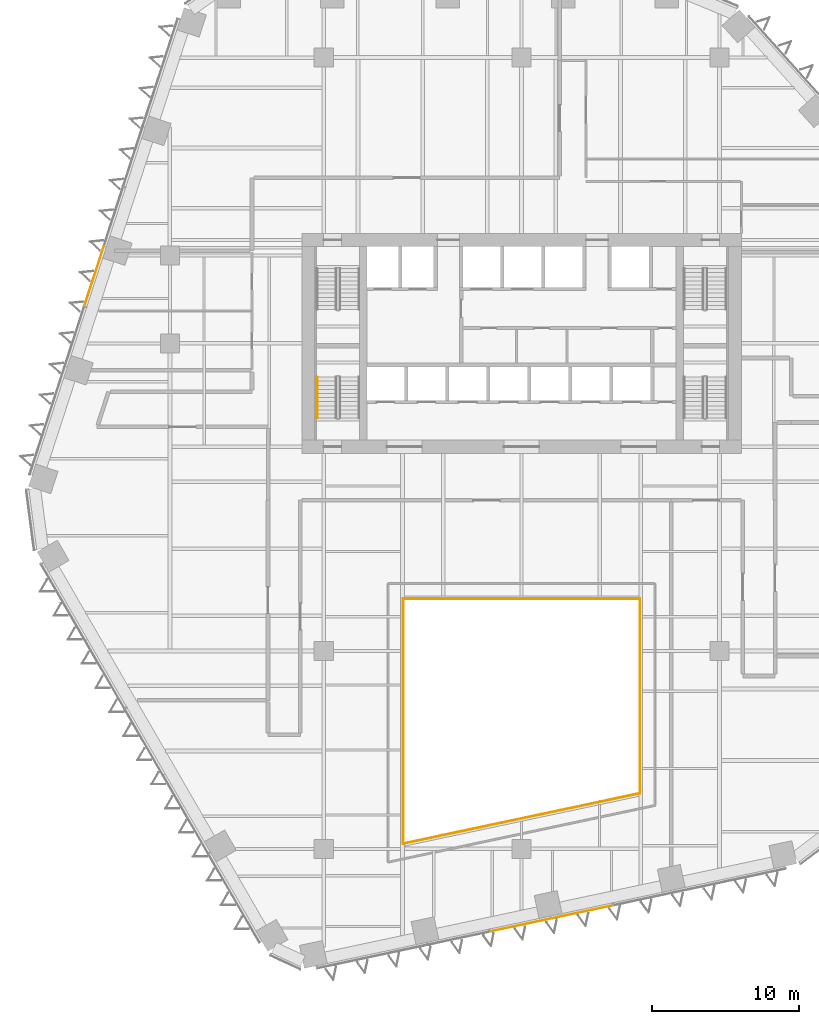
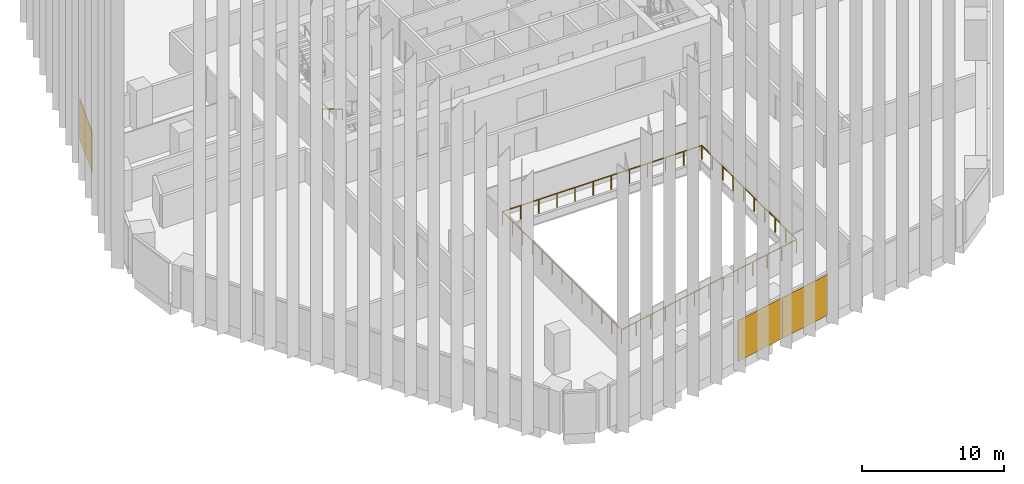
# One storey, part 18 of 24: 5 railings, 3 coverings, 2 elements without a shape of their own.
"""IFC4 building model written with IfcOpenShell, lengths in metres."""

from ifc_helpers import new_model, si_unit, direction, frame, origin, origin_2d, place, context, subcontext, project, spatial, rectangle, circle, extrude, material, layer, layer_set, type_object, element, aggregate, save


model = new_model("IFC4")

# Units and contexts
model_context = context("Model", 3, precision=1e-05, world=origin(), true_north=direction((0.0, 1.0)))
body_context = subcontext(model_context, "Body", "Model", "MODEL_VIEW")
ifc_project = project(units=[si_unit("LENGTHUNIT", "METRE"), si_unit("AREAUNIT", "SQUARE_METRE"), si_unit("VOLUMEUNIT", "CUBIC_METRE"), si_unit("PLANEANGLEUNIT", "RADIAN"), si_unit("MASSUNIT", "GRAM", prefix="KILO")], contexts=[model_context])

# Site, building, storey
site_placement = place(None, origin())
site = spatial("IfcSite", under=ifc_project, at=site_placement, CompositionType="ELEMENT")
building_placement = place(site_placement, origin())
building = spatial("IfcBuilding", under=site, at=building_placement, Name="Isthmus Gate Tower", CompositionType="ELEMENT")
storey_placement = place(building_placement, frame((0.0, 0.0, 80.64990234375)))
storey = spatial("IfcBuildingStorey", under=building, at=storey_placement, Name="L18", CompositionType="ELEMENT", Elevation=80.64990234375)

# Railings
ifc_material_1 = material(Name="Laminated toughened glass balustrade with steel rail", Category="steel")
railing_type_1 = type_object("IfcRailingType", Name="ATRIUM GUARD GLASS BALUSTRADE 1200", PredefinedType="GUARDRAIL", material=ifc_material_1)
railing_1_placement = place(storey_placement, frame((-8.080078125, -26.642822265625, 0.0)))
element("IfcRailing", 1, at=railing_1_placement, inside=storey, type_object=railing_type_1, Name="L18 atrium guard", PredefinedType="GUARDRAIL", context=body_context, shape_type="SweptSolid", body=[
    extrude(circle(Radius=0.02490234375, at=origin_2d()), frame((0.0, 0.0, 1.1748046875), z_axis=(0.0, 1.0, 0.0), x_axis=(-1.0, 0.0, 0.0)), (0.0, 0.0, 1.0), 16.722900390625),
    extrude(circle(Radius=0.02490234375, at=origin_2d()), origin(), (0.0, 0.0, 1.0), 1.14990234375),
    extrude(circle(Radius=0.02490234375, at=origin_2d()), frame((0.0, 1.3935546875, 0.0)), (0.0, 0.0, 1.0), 1.14990234375),
    extrude(circle(Radius=0.02490234375, at=origin_2d()), frame((0.0, 2.787109375, 0.0)), (0.0, 0.0, 1.0), 1.14990234375),
    extrude(circle(Radius=0.02490234375, at=origin_2d()), frame((0.0, 4.1806640625, 0.0)), (0.0, 0.0, 1.0), 1.14990234375),
    extrude(circle(Radius=0.02490234375, at=origin_2d()), frame((0.0, 5.57421875, 0.0)), (0.0, 0.0, 1.0), 1.14990234375),
    extrude(circle(Radius=0.02490234375, at=origin_2d()), frame((0.0, 6.9677734375, 0.0)), (0.0, 0.0, 1.0), 1.14990234375),
    extrude(circle(Radius=0.02490234375, at=origin_2d()), frame((0.0, 8.361328125, 0.0)), (0.0, 0.0, 1.0), 1.14990234375),
    extrude(circle(Radius=0.02490234375, at=origin_2d()), frame((0.0, 9.755126953125, 0.0)), (0.0, 0.0, 1.0), 1.14990234375),
    extrude(circle(Radius=0.02490234375, at=origin_2d()), frame((0.0, 11.148681640625, 0.0)), (0.0, 0.0, 1.0), 1.14990234375),
    extrude(circle(Radius=0.02490234375, at=origin_2d()), frame((0.0, 12.542236328125, 0.0)), (0.0, 0.0, 1.0), 1.14990234375),
    extrude(circle(Radius=0.02490234375, at=origin_2d()), frame((0.0, 13.935791015625, 0.0)), (0.0, 0.0, 1.0), 1.14990234375),
    extrude(circle(Radius=0.02490234375, at=origin_2d()), frame((0.0, 15.329345703125, 0.0)), (0.0, 0.0, 1.0), 1.14990234375),
    extrude(circle(Radius=0.02490234375, at=origin_2d()), frame((0.0, 16.722900390625, 0.0)), (0.0, 0.0, 1.0), 1.14990234375),
])
railing_2_placement = place(storey_placement, frame((-8.080078125, -9.919921875, 0.0)))
element("IfcRailing", 2, at=railing_2_placement, inside=storey, type_object=railing_type_1, Name="L18 atrium guard", PredefinedType="GUARDRAIL", context=body_context, shape_type="SweptSolid", body=[
    extrude(circle(Radius=0.02490234375, at=origin_2d()), frame((0.0, 0.0, 1.1748046875), z_axis=(1.0, 0.0, 0.0), x_axis=(0.0, 1.0, 0.0)), (0.0, 0.0, 1.0), 16.16015625),
    extrude(circle(Radius=0.02490234375, at=origin_2d()), origin(), (0.0, 0.0, 1.0), 1.14990234375),
    extrude(circle(Radius=0.02490234375, at=origin_2d()), frame((1.468994140625, 0.0, 0.0)), (0.0, 0.0, 1.0), 1.14990234375),
    extrude(circle(Radius=0.02490234375, at=origin_2d()), frame((2.938232421875, 0.0, 0.0)), (0.0, 0.0, 1.0), 1.14990234375),
    extrude(circle(Radius=0.02490234375, at=origin_2d()), frame((4.4072265625, 0.0, 0.0)), (0.0, 0.0, 1.0), 1.14990234375),
    extrude(circle(Radius=0.02490234375, at=origin_2d()), frame((5.87646484375, 0.0, 0.0)), (0.0, 0.0, 1.0), 1.14990234375),
    extrude(circle(Radius=0.02490234375, at=origin_2d()), frame((7.345458984375, 0.0, 0.0)), (0.0, 0.0, 1.0), 1.14990234375),
    extrude(circle(Radius=0.02490234375, at=origin_2d()), frame((8.814697265625, 0.0, 0.0)), (0.0, 0.0, 1.0), 1.14990234375),
    extrude(circle(Radius=0.02490234375, at=origin_2d()), frame((10.28369140625, 0.0, 0.0)), (0.0, 0.0, 1.0), 1.14990234375),
    extrude(circle(Radius=0.02490234375, at=origin_2d()), frame((11.7529296875, 0.0, 0.0)), (0.0, 0.0, 1.0), 1.14990234375),
    extrude(circle(Radius=0.02490234375, at=origin_2d()), frame((13.221923828125, 0.0, 0.0)), (0.0, 0.0, 1.0), 1.14990234375),
    extrude(circle(Radius=0.02490234375, at=origin_2d()), frame((14.691162109375, 0.0, 0.0)), (0.0, 0.0, 1.0), 1.14990234375),
    extrude(circle(Radius=0.02490234375, at=origin_2d()), frame((16.16015625, 0.0, 0.0)), (0.0, 0.0, 1.0), 1.14990234375),
])
railing_3_placement = place(storey_placement, frame((8.080078125, -9.919921875, 0.0)))
element("IfcRailing", 3, at=railing_3_placement, inside=storey, type_object=railing_type_1, Name="L18 atrium guard", PredefinedType="GUARDRAIL", context=body_context, shape_type="SweptSolid", body=[
    extrude(circle(Radius=0.02490234375, at=origin_2d()), frame((0.0, 0.0, 1.1748046875), z_axis=(0.0, -1.0, 0.0), x_axis=(1.0, 0.0, 0.0)), (0.0, 0.0, 1.0), 13.2880859375),
    extrude(circle(Radius=0.02490234375, at=origin_2d()), origin(), (0.0, 0.0, 1.0), 1.14990234375),
    extrude(circle(Radius=0.02490234375, at=origin_2d()), frame((0.0, -1.4765625, 0.0)), (0.0, 0.0, 1.0), 1.14990234375),
    extrude(circle(Radius=0.02490234375, at=origin_2d()), frame((0.0, -2.952880859375, 0.0)), (0.0, 0.0, 1.0), 1.14990234375),
    extrude(circle(Radius=0.02490234375, at=origin_2d()), frame((0.0, -4.429443359375, 0.0)), (0.0, 0.0, 1.0), 1.14990234375),
    extrude(circle(Radius=0.02490234375, at=origin_2d()), frame((0.0, -5.90576171875, 0.0)), (0.0, 0.0, 1.0), 1.14990234375),
    extrude(circle(Radius=0.02490234375, at=origin_2d()), frame((0.0, -7.38232421875, 0.0)), (0.0, 0.0, 1.0), 1.14990234375),
    extrude(circle(Radius=0.02490234375, at=origin_2d()), frame((0.0, -8.858642578125, 0.0)), (0.0, 0.0, 1.0), 1.14990234375),
    extrude(circle(Radius=0.02490234375, at=origin_2d()), frame((0.0, -10.335205078125, 0.0)), (0.0, 0.0, 1.0), 1.14990234375),
    extrude(circle(Radius=0.02490234375, at=origin_2d()), frame((0.0, -11.8115234375, 0.0)), (0.0, 0.0, 1.0), 1.14990234375),
    extrude(circle(Radius=0.02490234375, at=origin_2d()), frame((0.0, -13.2880859375, 0.0)), (0.0, 0.0, 1.0), 1.14990234375),
])
railing_4_placement = place(storey_placement, frame((8.080078125, -23.2080078125, 0.0)))
element("IfcRailing", 4, at=railing_4_placement, inside=storey, type_object=railing_type_1, Name="L18 atrium guard", PredefinedType="GUARDRAIL", context=body_context, shape_type="SweptSolid", body=[
    extrude(circle(Radius=0.02490234375, at=origin_2d()), frame((0.0, 0.0, 1.1748046875), z_axis=(-0.978149235358, -0.207904000366, 0.0), x_axis=(0.207904000366, -0.978149235358, 0.0)), (0.0, 0.0, 1.0), 16.521240234375),
    extrude(circle(Radius=0.02490234375, at=origin_2d()), origin(), (0.0, 0.0, 1.0), 1.14990234375),
    extrude(circle(Radius=0.02490234375, at=origin_2d()), frame((-1.3466796875, -0.2861328125, 0.0)), (0.0, 0.0, 1.0), 1.14990234375),
    extrude(circle(Radius=0.02490234375, at=origin_2d()), frame((-2.693359375, -0.572509765625, 0.0)), (0.0, 0.0, 1.0), 1.14990234375),
    extrude(circle(Radius=0.02490234375, at=origin_2d()), frame((-4.0400390625, -0.858642578125, 0.0)), (0.0, 0.0, 1.0), 1.14990234375),
    extrude(circle(Radius=0.02490234375, at=origin_2d()), frame((-5.38671875, -1.14501953125, 0.0)), (0.0, 0.0, 1.0), 1.14990234375),
    extrude(circle(Radius=0.02490234375, at=origin_2d()), frame((-6.7333984375, -1.43115234375, 0.0)), (0.0, 0.0, 1.0), 1.14990234375),
    extrude(circle(Radius=0.02490234375, at=origin_2d()), frame((-8.080078125, -1.71728515625, 0.0)), (0.0, 0.0, 1.0), 1.14990234375),
    extrude(circle(Radius=0.02490234375, at=origin_2d()), frame((-9.4267578125, -2.003662109375, 0.0)), (0.0, 0.0, 1.0), 1.14990234375),
    extrude(circle(Radius=0.02490234375, at=origin_2d()), frame((-10.7734375, -2.289794921875, 0.0)), (0.0, 0.0, 1.0), 1.14990234375),
    extrude(circle(Radius=0.02490234375, at=origin_2d()), frame((-12.1201171875, -2.576171875, 0.0)), (0.0, 0.0, 1.0), 1.14990234375),
    extrude(circle(Radius=0.02490234375, at=origin_2d()), frame((-13.466796875, -2.8623046875, 0.0)), (0.0, 0.0, 1.0), 1.14990234375),
    extrude(circle(Radius=0.02490234375, at=origin_2d()), frame((-14.8134765625, -3.148681640625, 0.0)), (0.0, 0.0, 1.0), 1.14990234375),
    extrude(circle(Radius=0.02490234375, at=origin_2d()), frame((-16.16015625, -3.434814453125, 0.0)), (0.0, 0.0, 1.0), 1.14990234375),
])

# Curtain wall, covering
ifc_material_2 = material(Name="Aluminium, pale champagne anodised", Category="aluminium")
ifc_layer_1 = layer(ifc_material_2, 0.199951171875)
ifc_layer_set_1 = layer_set([ifc_layer_1], Name="CW-1 UNITISED CURTAIN WALL 200 DEEP")
curtain_wall_type = type_object("IfcCurtainWallType", Name="CW-1 UNITISED CURTAIN WALL 200 DEEP", PredefinedType="NOTDEFINED", material=ifc_layer_set_1)
curtain_wall_1_placement = place(storey_placement, origin())
curtain_wall_1 = element("IfcCurtainWall", 5, at=curtain_wall_1_placement, inside=storey, type_object=curtain_wall_type, Name="CW-1 NW L18", PredefinedType="NOTDEFINED")
ifc_material_3 = material(Name="Aluminium composite panel, pale champagne anodised", Category="aluminium")
ifc_layer_2 = layer(ifc_material_3, 0.0400390625)
ifc_layer_set_2 = layer_set([ifc_layer_2], Name="CW-1 PALE METAL PANEL 40")
covering_type = type_object("IfcCoveringType", Name="CW-1 PALE METAL PANEL 40", PredefinedType="CLADDING", material=ifc_layer_set_2)
covering_1_placement = place(storey_placement, frame((-29.17236328125, 12.09033203125, 0.0), z_axis=(0.0, 0.0, 1.0), x_axis=(-0.309016994375, -0.951056516295, 0.0)))
covering_1 = element("IfcCovering", 6, at=covering_1_placement, type_object=covering_type, Name="CW-1 pale metal panel", PredefinedType="CLADDING", context=body_context, shape_type="SweptSolid", body=[
    extrude(rectangle(XDim=4.294677734375, YDim=0.0400390625, at=origin_2d()), origin(), (0.0, 0.0, 1.0), 3.5),
])
aggregate(curtain_wall_1, [covering_1])

# Curtain wall, coverings
curtain_wall_2_placement = place(storey_placement, origin())
curtain_wall_2 = element("IfcCurtainWall", 7, at=curtain_wall_2_placement, inside=storey, type_object=curtain_wall_type, Name="CW-1 S L18", PredefinedType="NOTDEFINED")
covering_2_placement = place(storey_placement, frame((-0.055908203125, -32.19580078125, 0.0), z_axis=(0.0, 0.0, 1.0), x_axis=(0.978147600734, 0.207911690818, 0.0)))
covering_2 = element("IfcCovering", 8, at=covering_2_placement, type_object=covering_type, Name="CW-1 pale metal panel", PredefinedType="CLADDING", context=body_context, shape_type="SweptSolid", body=[
    extrude(rectangle(XDim=4.234619140625, YDim=0.0400390625, at=origin_2d()), origin(), (0.0, 0.0, 1.0), 3.5),
])
covering_3_placement = place(storey_placement, frame((4.115478515625, -31.309326171875, 0.0), z_axis=(0.0, 0.0, 1.0), x_axis=(0.978147600734, 0.207911690818, 0.0)))
covering_3 = element("IfcCovering", 9, at=covering_3_placement, type_object=covering_type, Name="CW-1 pale metal panel", PredefinedType="CLADDING", context=body_context, shape_type="SweptSolid", body=[
    extrude(rectangle(XDim=4.294677734375, YDim=0.0400390625, at=origin_2d()), origin(), (0.0, 0.0, 1.0), 3.5),
])
aggregate(curtain_wall_2, [covering_2, covering_3])

# Railing
ifc_material_4 = material(Name="Stainless steel handrail", Category="steel")
railing_type_2 = type_object("IfcRailingType", Name="STAIR HANDRAIL 900", PredefinedType="HANDRAIL", material=ifc_material_4)
railing_5_placement = place(storey_placement, frame((-13.949951171875, 5.199951171875, 1.990966796875)))
element("IfcRailing", 10, at=railing_5_placement, inside=storey, type_object=railing_type_2, Name="L18 ST7 stair handrail 2", PredefinedType="HANDRAIL", context=body_context, shape_type="SweptSolid", body=[
    extrude(circle(Radius=0.02392578125, at=origin_2d()), frame((0.0, 0.0, 0.8759765625), z_axis=(0.0, -0.860306154799, 0.50977771628), x_axis=(1.0, 0.0, 0.0)), (0.0, 0.0, 1.0), 3.254638671875),
    extrude(circle(Radius=0.02099609375, at=origin_2d()), origin(), (0.0, 0.0, 1.0), 0.851806640625),
    extrude(circle(Radius=0.02099609375, at=origin_2d()), frame((0.0, -0.933349609375, 0.552978515625)), (0.0, 0.0, 1.0), 0.851806640625),
    extrude(circle(Radius=0.02099609375, at=origin_2d()), frame((0.0, -1.86669921875, 1.106201171875)), (0.0, 0.0, 1.0), 0.851806640625),
    extrude(circle(Radius=0.02099609375, at=origin_2d()), frame((0.0, -2.800048828125, 1.6591796875)), (0.0, 0.0, 1.0), 0.851806640625),
])

save(model, "model.ifc")
